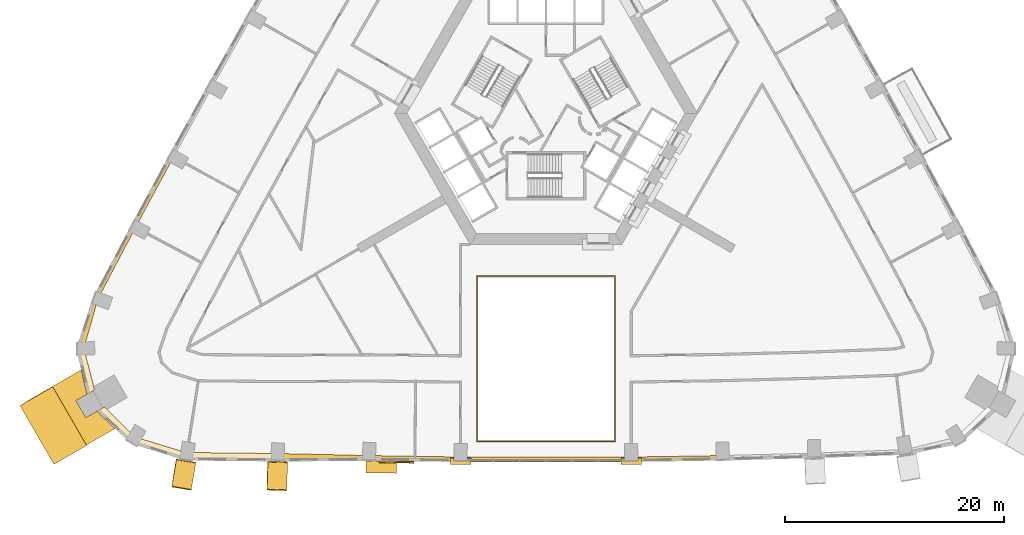
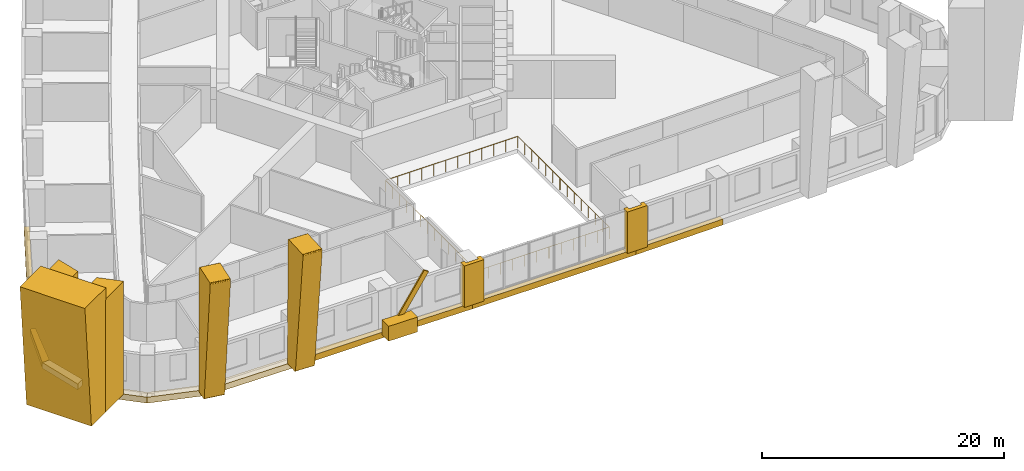
# One storey, part 13 of 16: 18 coverings, 1 railing, 1 shading device.
"""IFC4 building model written with IfcOpenShell, lengths in metres."""

from ifc_helpers import new_model, si_unit, direction, frame, origin, origin_2d, place, context, subcontext, project, spatial, polyline, rectangle, circle, outline, extrude, material, material_profile, profile_set, type_object, element, save


model = new_model("IFC4")

# Units and contexts
model_context = context("Model", 3, precision=1e-05, world=origin(), true_north=direction((0.0, 1.0)))
body_context = subcontext(model_context, "Body", "Model", "MODEL_VIEW")
ifc_project = project(units=[si_unit("LENGTHUNIT", "METRE"), si_unit("AREAUNIT", "SQUARE_METRE"), si_unit("VOLUMEUNIT", "CUBIC_METRE"), si_unit("PLANEANGLEUNIT", "RADIAN"), si_unit("MASSUNIT", "GRAM", prefix="KILO")], contexts=[model_context])

# Site, building, storey
site_placement = place(None, origin())
site = spatial("IfcSite", under=ifc_project, at=site_placement, CompositionType="ELEMENT")
building_placement = place(site_placement, origin())
building = spatial("IfcBuilding", under=site, at=building_placement, Name="Entoto Arch Interchange Tower", CompositionType="ELEMENT")
storey_placement = place(building_placement, frame((0.0, 0.0, 60.199951171875)))
storey = spatial("IfcBuildingStorey", under=building, at=storey_placement, Name="L12", CompositionType="ELEMENT", Elevation=60.199951171875)

# Railing
ifc_material_1 = material(Name="Stainless steel 1.4301", Category="steel")
railing_type = type_object("IfcRailingType", Name="ATRIUM GUARD 1200 STEEL AND GLASS", PredefinedType="GUARDRAIL", material=ifc_material_1)
railing_placement = place(storey_placement, frame((6.320068359375, -27.48095703125, 0.0)))
element("IfcRailing", 1, at=railing_placement, inside=storey, type_object=railing_type, Name="Atrium guard L12", PredefinedType="GUARDRAIL", context=body_context, shape_type="SweptSolid", body=[
    extrude(circle(Radius=0.02392578125, at=origin_2d()), frame((0.0, 0.0, 1.17578125), z_axis=(-1.0, 0.0, 0.0), x_axis=(0.0, -1.0, 0.0)), (0.0, 0.0, 1.0), 12.64013671875),
    extrude(circle(Radius=0.02392578125, at=origin_2d()), frame((-12.64013671875, 0.0, 1.17578125), z_axis=(0.0, 1.0, 0.0), x_axis=(-1.0, 0.0, 0.0)), (0.0, 0.0, 1.0), 15.10107421875),
    extrude(circle(Radius=0.02392578125, at=origin_2d()), frame((-12.64013671875, 15.10107421875, 1.17578125), z_axis=(1.0, 0.0, 0.0), x_axis=(0.0, 1.0, 0.0)), (0.0, 0.0, 1.0), 12.64013671875),
    extrude(circle(Radius=0.02392578125, at=origin_2d()), frame((0.0, 15.10107421875, 1.17578125), z_axis=(0.0, -1.0, 0.0), x_axis=(1.0, 0.0, 0.0)), (0.0, 0.0, 1.0), 15.10107421875),
    extrude(circle(Radius=0.02099609375, at=origin_2d()), origin(), (0.0, 0.0, 1.0), 1.15185546875),
    extrude(circle(Radius=0.02099609375, at=origin_2d()), frame((-1.149169921875, 0.0, 0.0)), (0.0, 0.0, 1.0), 1.15185546875),
    extrude(circle(Radius=0.02099609375, at=origin_2d()), frame((-2.298095703125, 0.0, 0.0)), (0.0, 0.0, 1.0), 1.15185546875),
    extrude(circle(Radius=0.02099609375, at=origin_2d()), frame((-3.447265625, 0.0, 0.0)), (0.0, 0.0, 1.0), 1.15185546875),
    extrude(circle(Radius=0.02099609375, at=origin_2d()), frame((-4.596435546875, 0.0, 0.0)), (0.0, 0.0, 1.0), 1.15185546875),
    extrude(circle(Radius=0.02099609375, at=origin_2d()), frame((-5.74560546875, 0.0, 0.0)), (0.0, 0.0, 1.0), 1.15185546875),
    extrude(circle(Radius=0.02099609375, at=origin_2d()), frame((-6.89453125, 0.0, 0.0)), (0.0, 0.0, 1.0), 1.15185546875),
    extrude(circle(Radius=0.02099609375, at=origin_2d()), frame((-8.043701171875, 0.0, 0.0)), (0.0, 0.0, 1.0), 1.15185546875),
    extrude(circle(Radius=0.02099609375, at=origin_2d()), frame((-9.19287109375, 0.0, 0.0)), (0.0, 0.0, 1.0), 1.15185546875),
    extrude(circle(Radius=0.02099609375, at=origin_2d()), frame((-10.342041015625, 0.0, 0.0)), (0.0, 0.0, 1.0), 1.15185546875),
    extrude(circle(Radius=0.02099609375, at=origin_2d()), frame((-11.490966796875, 0.0, 0.0)), (0.0, 0.0, 1.0), 1.15185546875),
    extrude(circle(Radius=0.02099609375, at=origin_2d()), frame((-12.64013671875, 0.0, 0.0)), (0.0, 0.0, 1.0), 1.15185546875),
    extrude(circle(Radius=0.02099609375, at=origin_2d()), frame((-12.64013671875, 1.16162109375, 0.0)), (0.0, 0.0, 1.0), 1.15185546875),
    extrude(circle(Radius=0.02099609375, at=origin_2d()), frame((-12.64013671875, 2.3232421875, 0.0)), (0.0, 0.0, 1.0), 1.15185546875),
    extrude(circle(Radius=0.02099609375, at=origin_2d()), frame((-12.64013671875, 3.48486328125, 0.0)), (0.0, 0.0, 1.0), 1.15185546875),
    extrude(circle(Radius=0.02099609375, at=origin_2d()), frame((-12.64013671875, 4.646484375, 0.0)), (0.0, 0.0, 1.0), 1.15185546875),
    extrude(circle(Radius=0.02099609375, at=origin_2d()), frame((-12.64013671875, 5.80810546875, 0.0)), (0.0, 0.0, 1.0), 1.15185546875),
    extrude(circle(Radius=0.02099609375, at=origin_2d()), frame((-12.64013671875, 6.9697265625, 0.0)), (0.0, 0.0, 1.0), 1.15185546875),
    extrude(circle(Radius=0.02099609375, at=origin_2d()), frame((-12.64013671875, 8.13134765625, 0.0)), (0.0, 0.0, 1.0), 1.15185546875),
    extrude(circle(Radius=0.02099609375, at=origin_2d()), frame((-12.64013671875, 9.29296875, 0.0)), (0.0, 0.0, 1.0), 1.15185546875),
    extrude(circle(Radius=0.02099609375, at=origin_2d()), frame((-12.64013671875, 10.45458984375, 0.0)), (0.0, 0.0, 1.0), 1.15185546875),
    extrude(circle(Radius=0.02099609375, at=origin_2d()), frame((-12.64013671875, 11.6162109375, 0.0)), (0.0, 0.0, 1.0), 1.15185546875),
    extrude(circle(Radius=0.02099609375, at=origin_2d()), frame((-12.64013671875, 12.77783203125, 0.0)), (0.0, 0.0, 1.0), 1.15185546875),
    extrude(circle(Radius=0.02099609375, at=origin_2d()), frame((-12.64013671875, 13.939453125, 0.0)), (0.0, 0.0, 1.0), 1.15185546875),
    extrude(circle(Radius=0.02099609375, at=origin_2d()), frame((-12.64013671875, 15.10107421875, 0.0)), (0.0, 0.0, 1.0), 1.15185546875),
    extrude(circle(Radius=0.02099609375, at=origin_2d()), frame((-11.490966796875, 15.10107421875, 0.0)), (0.0, 0.0, 1.0), 1.15185546875),
    extrude(circle(Radius=0.02099609375, at=origin_2d()), frame((-10.342041015625, 15.10107421875, 0.0)), (0.0, 0.0, 1.0), 1.15185546875),
    extrude(circle(Radius=0.02099609375, at=origin_2d()), frame((-9.19287109375, 15.10107421875, 0.0)), (0.0, 0.0, 1.0), 1.15185546875),
    extrude(circle(Radius=0.02099609375, at=origin_2d()), frame((-8.043701171875, 15.10107421875, 0.0)), (0.0, 0.0, 1.0), 1.15185546875),
    extrude(circle(Radius=0.02099609375, at=origin_2d()), frame((-6.89453125, 15.10107421875, 0.0)), (0.0, 0.0, 1.0), 1.15185546875),
    extrude(circle(Radius=0.02099609375, at=origin_2d()), frame((-5.74560546875, 15.10107421875, 0.0)), (0.0, 0.0, 1.0), 1.15185546875),
    extrude(circle(Radius=0.02099609375, at=origin_2d()), frame((-4.596435546875, 15.10107421875, 0.0)), (0.0, 0.0, 1.0), 1.15185546875),
    extrude(circle(Radius=0.02099609375, at=origin_2d()), frame((-3.447265625, 15.10107421875, 0.0)), (0.0, 0.0, 1.0), 1.15185546875),
    extrude(circle(Radius=0.02099609375, at=origin_2d()), frame((-2.298095703125, 15.10107421875, 0.0)), (0.0, 0.0, 1.0), 1.15185546875),
    extrude(circle(Radius=0.02099609375, at=origin_2d()), frame((-1.149169921875, 15.10107421875, 0.0)), (0.0, 0.0, 1.0), 1.15185546875),
    extrude(circle(Radius=0.02099609375, at=origin_2d()), frame((0.0, 15.10107421875, 0.0)), (0.0, 0.0, 1.0), 1.15185546875),
    extrude(circle(Radius=0.02099609375, at=origin_2d()), frame((0.0, 13.939453125, 0.0)), (0.0, 0.0, 1.0), 1.15185546875),
    extrude(circle(Radius=0.02099609375, at=origin_2d()), frame((0.0, 12.77783203125, 0.0)), (0.0, 0.0, 1.0), 1.15185546875),
    extrude(circle(Radius=0.02099609375, at=origin_2d()), frame((0.0, 11.6162109375, 0.0)), (0.0, 0.0, 1.0), 1.15185546875),
    extrude(circle(Radius=0.02099609375, at=origin_2d()), frame((0.0, 10.45458984375, 0.0)), (0.0, 0.0, 1.0), 1.15185546875),
    extrude(circle(Radius=0.02099609375, at=origin_2d()), frame((0.0, 9.29296875, 0.0)), (0.0, 0.0, 1.0), 1.15185546875),
    extrude(circle(Radius=0.02099609375, at=origin_2d()), frame((0.0, 8.13134765625, 0.0)), (0.0, 0.0, 1.0), 1.15185546875),
    extrude(circle(Radius=0.02099609375, at=origin_2d()), frame((0.0, 6.9697265625, 0.0)), (0.0, 0.0, 1.0), 1.15185546875),
    extrude(circle(Radius=0.02099609375, at=origin_2d()), frame((0.0, 5.80810546875, 0.0)), (0.0, 0.0, 1.0), 1.15185546875),
    extrude(circle(Radius=0.02099609375, at=origin_2d()), frame((0.0, 4.646484375, 0.0)), (0.0, 0.0, 1.0), 1.15185546875),
    extrude(circle(Radius=0.02099609375, at=origin_2d()), frame((0.0, 3.48486328125, 0.0)), (0.0, 0.0, 1.0), 1.15185546875),
    extrude(circle(Radius=0.02099609375, at=origin_2d()), frame((0.0, 2.3232421875, 0.0)), (0.0, 0.0, 1.0), 1.15185546875),
    extrude(circle(Radius=0.02099609375, at=origin_2d()), frame((0.0, 1.16162109375, 0.0)), (0.0, 0.0, 1.0), 1.15185546875),
])

# Shading device
ifc_material_2 = material(Name="Board-marked precast concrete C50/60", Category="concrete")
ifc_material_profile = material_profile(ifc_material_2, rectangle(XDim=0.14990234375, YDim=0.5, at=origin_2d()))
ifc_profile_set = profile_set([ifc_material_profile], Name="Board-marked precast concrete C50/60")
shading_device_type = type_object("IfcShadingDeviceType", Name="FOLD BAND PRECAST 150x500", PredefinedType="USERDEFINED", material=ifc_profile_set)
shading_device_placement = place(storey_placement, frame((-15.0390625, -29.35595703125, 0.25), z_axis=(0.550562635403, -0.00596855316, 0.834772520434), x_axis=(0.010840187991, 0.999941243436, 0.0)))
element("IfcShadingDevice", 2, at=shading_device_placement, inside=storey, type_object=shading_device_type, Name="Fold band L12", ObjectType="FOLD BAND", PredefinedType="USERDEFINED", context=body_context, shape_type="SweptSolid", body=[
    extrude(rectangle(XDim=0.14990234375, YDim=0.5, at=origin_2d()), origin(), (0.0, 0.0, 1.0), 5.03125),
])

# Coverings
covering_type_1 = type_object("IfcCoveringType", Name="PRECAST FRAME COURSE", PredefinedType="CLADDING", material=ifc_material_2)
covering_1_placement = place(storey_placement, frame((0.0, 0.0, -0.39990234375)))
element("IfcCovering", 3, at=covering_1_placement, inside=storey, type_object=covering_type_1, Name="Corner pilaster SW L12-L14", PredefinedType="CLADDING", context=body_context, shape_type="SweptSolid", body=[
    extrude(outline(polyline([(-41.99609375, -27.825927734375), (-45.095947265625, -22.4560546875), (-42.47412109375, -20.943115234375), (-41.944091796875, -23.177001953125), (-42.9560546875, -23.761962890625), (-42.055908203125, -25.320068359375), (-41.0439453125, -24.736083984375), (-39.375, -26.31201171875), (-41.99609375, -27.825927734375)])), origin(), (0.0, 0.0, 1.0), 11.39990234375),
])
covering_2_placement = place(storey_placement, frame((-45.095947265625, -22.4560546875, -0.39990234375), z_axis=(-0.500123606267, 0.86594887862, 0.002986314078), x_axis=(-0.865952739097, -0.500125837815, 5.65921e-07)))
element("IfcCovering", 4, at=covering_2_placement, inside=storey, type_object=covering_type_1, Name="Corner rib SW L12-L14", PredefinedType="CLADDING", context=body_context, shape_type="SweptSolid", body=[
    extrude(outline(polyline([(0.0, 0.0), (2.308719816022621, 0.0), (3.453990482716445, 12.599907744506337), (4.5924983393517394e-07, 12.599911005761072), (0.0, 0.0)])), origin(), (0.0, 0.0, -1.0), 6.199951171875),
])
covering_3_placement = place(storey_placement, frame((-33.822998046875, -29.23095703125, -0.39990234375), z_axis=(-0.986039545423, 0.166484570306, 0.002983741193), x_axis=(0.165953219935, 0.981111034976, 0.099401538425)))
element("IfcCovering", 5, at=covering_3_placement, inside=storey, type_object=covering_type_1, Name="Fold rib S01 L12-L14", PredefinedType="CLADDING", context=body_context, shape_type="SweptSolid", body=[
    extrude(outline(polyline([(0.0, 0.0), (0.02944342850151909, 4.336808689942018e-19), (0.05840141833890689, -0.005205160976448106), (0.08526650346866013, -0.016508527726632485), (0.11020184261516107, -0.03315316222302005), (0.13085643556417192, -0.05415570754279903), (0.14743039048717058, -0.07875180334295577), (0.15826345992428253, -0.10563891537638169), (0.16418775884323658, -0.13424573049596414), (1.3868396651101362, -12.373431419107257), (1.3868532028671843, -12.402628737641226), (1.3815532268775614, -12.431129757422854), (1.369970034435835, -12.458537395535584), (1.3440939951307236, -12.494248164732133), (1.3080732165205042, -12.520907821369494), (1.2816380784264405, -12.531647289082253), (1.2526150171227886, -12.537490920935474), (-1.0441685023803828, -12.766929884906016), (-1.07381451049608, -12.766946512641614), (-1.1030685852867739, -12.760790354558335), (-1.1295725935867469, -12.749452961115713), (-1.1545324086868862, -12.733790024871475), (-1.1750249379445548, -12.712774177363217), (-1.197256739885253, -12.674756527213246), (-1.206055387539489, -12.646438312706618), (-1.2090403458466872, -12.616557873174811), (-1.1164868596322421, -0.23200203513912238), (-1.111186883642619, -0.20350101535749437), (-1.0995667417537973, -0.1760859549292842), (-1.073630580080913, -0.1413543296590073), (-1.038530968268692, -0.11478345091048105), (-0.9969899303784774, -0.10057695255926083), (0.0, 0.0)])), origin(), (0.0, 0.0, -1.0), 1.800048828125),
])
covering_4_placement = place(storey_placement, frame((-25.445068359375, -29.43505859375, -0.39990234375), z_axis=(-0.999424538905, 0.033785972229, 0.003016473869), x_axis=(0.03391922184, 0.994701888196, 0.097044525915)))
element("IfcCovering", 6, at=covering_4_placement, inside=storey, type_object=covering_type_1, Name="Fold rib S02 L12-L14", PredefinedType="CLADDING", context=body_context, shape_type="SweptSolid", body=[
    extrude(outline(polyline([(0.0, 0.0), (0.030187632677340606, -4.336808689942018e-19), (0.05893003096470431, -0.005292361533897761), (0.08606370631506709, -0.016629682051679376), (0.1098010890900517, -0.03344906288937036), (0.1310033863563197, -0.054440684811453297), (0.14762361921478223, -0.07906548887558977), (0.15812879823429982, -0.1060072317106294), (0.16410521989700666, -0.13461455542898895), (1.3580366786561138, -12.376635989581763), (1.3576990746613293, -12.405859613574126), (1.352386065297042, -12.434342378824065), (1.3410457527380628, -12.461693398137722), (1.3143409192085567, -12.497412512900228), (1.2788935842179232, -12.523927676891432), (1.2517148916704037, -12.534672468924374), (1.223067267824788, -12.540409345703726), (-1.1240620916760415, -12.769268388333748), (-1.1532783357906913, -12.769173572906979), (-1.1829921226407458, -12.76397602679985), (-1.2101175169310894, -12.752638638349598), (-1.2338548997060736, -12.735819257511906), (-1.255024072732264, -12.714827363859937), (-1.2778848457832155, -12.676826639669994), (-1.285594321670709, -12.648385514678369), (-1.2883900379934605, -12.619713027998262), (-1.2241502111187588, -0.23980481927338954), (-1.2142882659836525, -0.1976318539990548), (-1.1906871382318975, -0.1602532881148177), (-1.1584299980038342, -0.13110665636838978), (-1.1326254667095714, -0.11632589778288076), (-1.104167382953634, -0.10864512360148615), (0.0, 0.0)])), origin(), (0.0, 0.0, -1.0), 1.800048828125),
])
covering_5_placement = place(storey_placement, frame((0.0, 0.0, -0.39990234375)))
element("IfcCovering", 7, at=covering_5_placement, inside=storey, type_object=covering_type_1, Name="Gate pier L12", PredefinedType="CLADDING", context=body_context, shape_type="SweptSolid", body=[
    extrude(outline(polyline([(-8.742919921875, -29.0009765625), (-8.39306640625, -29.0009765625), (-8.39306640625, -29.260986328125), (-7.193115234375, -29.260986328125), (-7.193115234375, -29.0009765625), (-6.843017578125, -29.0009765625), (-6.843017578125, -29.611083984375), (-8.742919921875, -29.611083984375), (-8.742919921875, -29.0009765625)])), origin(), (0.0, 0.0, 1.0), 4.199951171875),
])
covering_6_placement = place(storey_placement, frame((0.0, 0.0, -0.39990234375)))
element("IfcCovering", 8, at=covering_6_placement, inside=storey, type_object=covering_type_1, Name="Gate pier L12", PredefinedType="CLADDING", context=body_context, shape_type="SweptSolid", body=[
    extrude(outline(polyline([(6.843017578125, -29.0009765625), (7.193115234375, -29.0009765625), (7.193115234375, -29.260986328125), (8.39306640625, -29.260986328125), (8.39306640625, -29.0009765625), (8.742919921875, -29.0009765625), (8.742919921875, -29.611083984375), (6.843017578125, -29.611083984375), (6.843017578125, -29.0009765625)])), origin(), (0.0, 0.0, 1.0), 4.199951171875),
])
covering_7_placement = place(storey_placement, frame((0.0, 0.0, -0.64990234375)))
element("IfcCovering", 9, at=covering_7_placement, inside=storey, type_object=covering_type_1, Name="Fold crease ribbon L12", PredefinedType="CLADDING", context=body_context, shape_type="SweptSolid", body=[
    extrude(outline(polyline([(-15.468994140625, -30.3759765625), (-15.487060546875, -30.3779296875), (-15.594970703125, -30.381103515625), (-16.178955078125, -30.367919921875), (-16.423095703125, -30.368896484375), (-16.423095703125, -29.26904296875), (-16.169921875, -29.26806640625), (-15.570068359375, -29.281005859375), (-15.570068359375, -29.27490234375), (-13.653076171875, -29.2958984375), (-13.653076171875, -30.39697265625), (-15.468994140625, -30.3759765625)])), origin(), (0.0, 0.0, 1.0), 1.5),
])
covering_type_2 = type_object("IfcCoveringType", Name="PRECAST LEDGE COURSE", PredefinedType="CLADDING", material=ifc_material_2)
covering_8_placement = place(storey_placement, frame((0.0, 0.0, -1.0)))
element("IfcCovering", 10, at=covering_8_placement, inside=storey, type_object=covering_type_2, Name="Precast course S-01 L12", PredefinedType="CLADDING", context=body_context, shape_type="SweptSolid", body=[
    extrude(outline(polyline([(-24.5400390625, -28.589111328125), (-24.5400390625, -29.31494140625), (-32.910888671875, -29.23291015625), (-32.910888671875, -28.49609375), (-24.5400390625, -28.589111328125)])), origin(), (0.0, 0.0, 1.0), 0.60009765625),
])
covering_9_placement = place(storey_placement, frame((0.0, 0.0, -1.0)))
element("IfcCovering", 11, at=covering_9_placement, inside=storey, type_object=covering_type_2, Name="Precast course S-02 L12", PredefinedType="CLADDING", context=body_context, shape_type="SweptSolid", body=[
    extrude(outline(polyline([(-16.169921875, -28.777099609375), (-16.169921875, -29.26806640625), (-24.5400390625, -29.31494140625), (-24.5400390625, -28.589111328125), (-16.169921875, -28.777099609375)])), origin(), (0.0, 0.0, 1.0), 0.60009765625),
])
covering_10_placement = place(storey_placement, frame((0.0, 0.0, -1.0)))
element("IfcCovering", 12, at=covering_10_placement, inside=storey, type_object=covering_type_2, Name="Precast course S-03 L12", PredefinedType="CLADDING", context=body_context, shape_type="SweptSolid", body=[
    extrude(outline(polyline([(-7.800048828125, -28.909912109375), (-7.800048828125, -29.361083984375), (-16.169921875, -29.26806640625), (-16.169921875, -28.777099609375), (-7.800048828125, -28.909912109375)])), origin(), (0.0, 0.0, 1.0), 0.60009765625),
])
covering_11_placement = place(storey_placement, frame((0.0, 0.0, -1.0)))
element("IfcCovering", 13, at=covering_11_placement, inside=storey, type_object=covering_type_2, Name="Precast course S-04 L12", PredefinedType="CLADDING", context=body_context, shape_type="SweptSolid", body=[
    extrude(outline(polyline([(7.800048828125, -28.909912109375), (7.800048828125, -29.361083984375), (-7.800048828125, -29.361083984375), (-7.800048828125, -28.909912109375), (7.800048828125, -28.909912109375)])), origin(), (0.0, 0.0, 1.0), 0.60009765625),
])
covering_12_placement = place(storey_placement, frame((0.0, 0.0, -1.0)))
element("IfcCovering", 14, at=covering_12_placement, inside=storey, type_object=covering_type_2, Name="Precast course S-05 L12", PredefinedType="CLADDING", context=body_context, shape_type="SweptSolid", body=[
    extrude(outline(polyline([(16.169921875, -28.777099609375), (16.169921875, -29.23193359375), (7.800048828125, -29.361083984375), (7.800048828125, -28.909912109375), (16.169921875, -28.777099609375)])), origin(), (0.0, 0.0, 1.0), 0.60009765625),
])
covering_13_placement = place(storey_placement, frame((0.0, 0.0, -1.0)))
element("IfcCovering", 15, at=covering_13_placement, inside=storey, type_object=covering_type_2, Name="Precast course NW-08 L12", PredefinedType="CLADDING", context=body_context, shape_type="SweptSolid", body=[
    extrude(outline(polyline([(-37.5029296875, -7.927001953125), (-37.912109375, -7.7099609375), (-34.429931640625, -1.264892578125), (-34.028076171875, -1.48291015625), (-37.5029296875, -7.927001953125)])), origin(), (0.0, 0.0, 1.0), 0.60009765625),
])
covering_14_placement = place(storey_placement, frame((0.0, 0.0, -1.0)))
element("IfcCovering", 16, at=covering_14_placement, inside=storey, type_object=covering_type_2, Name="Precast course NW-09 L12", PredefinedType="CLADDING", context=body_context, shape_type="SweptSolid", body=[
    extrude(outline(polyline([(-40.94091796875, -14.45703125), (-41.387939453125, -14.291015625), (-37.912109375, -7.7099609375), (-37.5029296875, -7.927001953125), (-40.94091796875, -14.45703125)])), origin(), (0.0, 0.0, 1.0), 0.60009765625),
])
covering_15_placement = place(storey_placement, frame((0.0, 0.0, -1.0)))
element("IfcCovering", 17, at=covering_15_placement, inside=storey, type_object=covering_type_2, Name="Precast course SW-01 L12", PredefinedType="CLADDING", context=body_context, shape_type="SweptSolid", body=[
    extrude(outline(polyline([(-42.22607421875, -18.986083984375), (-42.93505859375, -19.001953125), (-41.387939453125, -14.291015625), (-40.94091796875, -14.45703125), (-42.22607421875, -18.986083984375)])), origin(), (0.0, 0.0, 1.0), 0.60009765625),
])
covering_16_placement = place(storey_placement, frame((0.0, 0.0, -1.0)))
element("IfcCovering", 18, at=covering_16_placement, inside=storey, type_object=covering_type_2, Name="Precast course SW-02 L12", PredefinedType="CLADDING", context=body_context, shape_type="SweptSolid", body=[
    extrude(outline(polyline([(-41.2470703125, -22.77490234375), (-41.944091796875, -23.177001953125), (-42.93505859375, -19.001953125), (-42.22607421875, -18.986083984375), (-41.2470703125, -22.77490234375)])), origin(), (0.0, 0.0, 1.0), 0.60009765625),
])
covering_17_placement = place(storey_placement, frame((0.0, 0.0, -1.0)))
element("IfcCovering", 19, at=covering_17_placement, inside=storey, type_object=covering_type_2, Name="Precast course SW-03 L12", PredefinedType="CLADDING", context=body_context, shape_type="SweptSolid", body=[
    extrude(outline(polyline([(-37.554931640625, -27.075927734375), (-37.924072265625, -27.681884765625), (-41.0439453125, -24.736083984375), (-40.346923828125, -24.333984375), (-37.554931640625, -27.075927734375)])), origin(), (0.0, 0.0, 1.0), 0.60009765625),
])
covering_18_placement = place(storey_placement, frame((0.0, 0.0, -1.0)))
element("IfcCovering", 20, at=covering_18_placement, inside=storey, type_object=covering_type_2, Name="Precast course SW-04 L12", PredefinedType="CLADDING", context=body_context, shape_type="SweptSolid", body=[
    extrude(outline(polyline([(-32.910888671875, -28.49609375), (-32.910888671875, -29.23291015625), (-37.924072265625, -27.681884765625), (-37.554931640625, -27.075927734375), (-32.910888671875, -28.49609375)])), origin(), (0.0, 0.0, 1.0), 0.60009765625),
])

save(model, "model.ifc")
